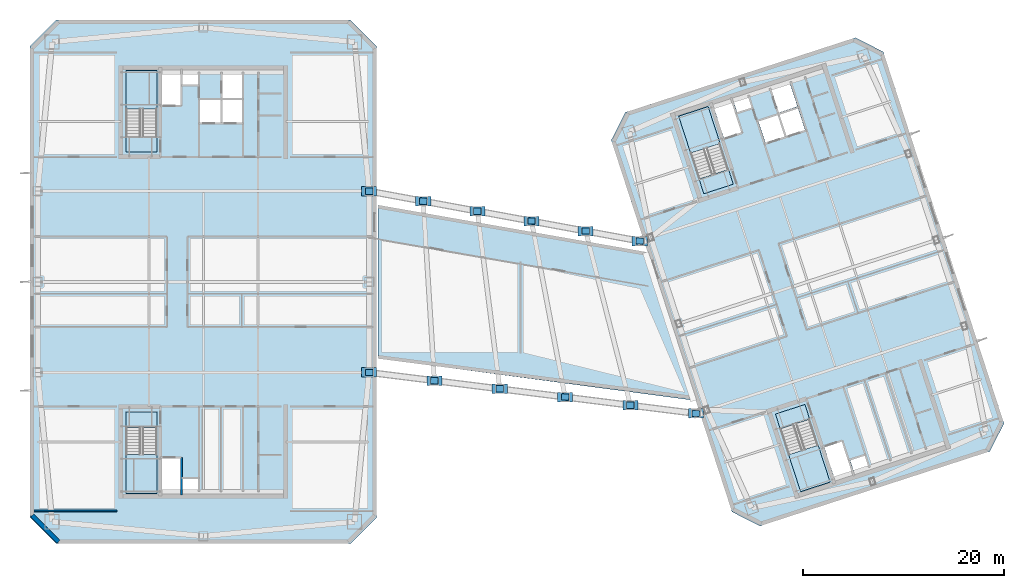
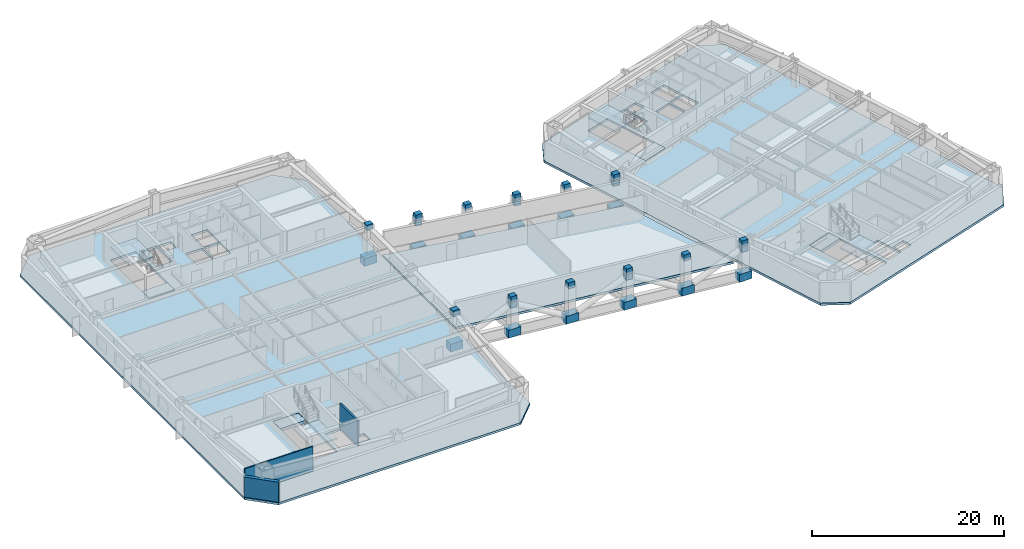
# One storey, part 5 of 19: 30 plates, 11 slabs, 3 walls, 4 elements without a shape of their own.
"""IFC4 building model written with IfcOpenShell, lengths in metres."""

from ifc_helpers import new_model, si_unit, direction, frame, frame_2d, origin, origin_2d, place, context, subcontext, project, spatial, polyline, rectangle, outline, extrude, material, layer, layer_set, type_object, element, aggregate, save


model = new_model("IFC4")

# Units and contexts
model_context = context("Model", 3, precision=1e-05, world=origin(), true_north=direction((0.0, 1.0)))
body_context = subcontext(model_context, "Body", "Model", "MODEL_VIEW")
ifc_project = project(units=[si_unit("LENGTHUNIT", "METRE"), si_unit("AREAUNIT", "SQUARE_METRE"), si_unit("VOLUMEUNIT", "CUBIC_METRE"), si_unit("PLANEANGLEUNIT", "RADIAN"), si_unit("MASSUNIT", "GRAM", prefix="KILO")], contexts=[model_context])

# Site, building, storey
site_placement = place(None, origin())
site = spatial("IfcSite", under=ifc_project, at=site_placement, CompositionType="ELEMENT")
building_placement = place(site_placement, origin())
building = spatial("IfcBuilding", under=site, at=building_placement, Name="Qiaolan Cultural Towers", CompositionType="ELEMENT")
storey_placement = place(building_placement, frame((0.0, 0.0, 216.199951171875)))
storey = spatial("IfcBuildingStorey", under=building, at=storey_placement, Name="L58", CompositionType="ELEMENT", Elevation=216.199951171875)

# Plates
ifc_material_1 = material(Name="Steel Q355B", Category="steel")
ifc_layer_1 = layer(ifc_material_1, 0.035888671875)
ifc_layer_set_1 = layer_set([ifc_layer_1], Name="Steel Q355B")
plate_type_1 = type_object("IfcPlateType", Name="PL-CONN-36", PredefinedType="USERDEFINED", material=ifc_layer_set_1)
for number, where, z_axis, x_axis, name in (
    (1, (52.939208984375, 24.185791015625, 2.10009765625), (0.0, 0.0, 1.0), (-0.992219651941, 0.124499647796, 0.0), "L58 Brace End Connection Gusset Plate GP-02-0824"),
    (2, (65.91748046875, 22.557373046875, 2.10009765625), (0.0, 0.0, 1.0), (-0.992219651941, 0.124499647796, 0.0), "L58 Brace End Connection Gusset Plate GP-02-0825"),
    (3, (78.895751953125, 20.928955078125, 2.10009765625), (0.0, 0.0, 1.0), (-0.992219651941, 0.124499647796, 0.0), "L58 Brace End Connection Gusset Plate GP-02-0826"),
    (4, (46.449951171875, 25.0, 2.80029296875), (0.0, 0.0, 1.0), (1.0, 0.0, 0.0), "L58 Brace End Connection Gusset Plate GP-02-0827"),
    (5, (52.939208984375, 24.185791015625, 2.80029296875), (0.0, 0.0, 1.0), (1.0, 0.0, 0.0), "L58 Brace End Connection Gusset Plate GP-02-0828"),
    (6, (59.42822265625, 23.37158203125, 2.80029296875), (0.0, 0.0, 1.0), (1.0, 0.0, 0.0), "L58 Brace End Connection Gusset Plate GP-02-0829"),
    (7, (65.91748046875, 22.557373046875, 2.80029296875), (0.0, 0.0, 1.0), (1.0, 0.0, 0.0), "L58 Brace End Connection Gusset Plate GP-02-0830"),
    (8, (72.406494140625, 21.7431640625, 2.80029296875), (0.0, 0.0, 1.0), (1.0, 0.0, 0.0), "L58 Brace End Connection Gusset Plate GP-02-0831"),
    (9, (78.895751953125, 20.928955078125, 2.80029296875), (0.0, 0.0, 1.0), (1.0, 0.0, 0.0), "L58 Brace End Connection Gusset Plate GP-02-0832"),
    (10, (51.82666015625, 42.009521484375, 2.10009765625), (0.0, 0.0, 1.0), (-0.983453648169, 0.181159934598, 0.0), "L58 Brace End Connection Gusset Plate GP-02-0833"),
    (11, (62.580078125, 40.02880859375, 2.10009765625), (0.0, 0.0, 1.0), (-0.983453648169, 0.181159934598, 0.0), "L58 Brace End Connection Gusset Plate GP-02-0834"),
    (12, (73.33349609375, 38.0478515625, 2.10009765625), (0.0, 0.0, 1.0), (-0.983453648169, 0.181159934598, 0.0), "L58 Brace End Connection Gusset Plate GP-02-0835"),
    (13, (46.449951171875, 43.0, 2.80029296875), (0.0, 0.0, 1.0), (1.0, 0.0, 0.0), "L58 Brace End Connection Gusset Plate GP-02-0836"),
    (14, (51.82666015625, 42.009521484375, 2.80029296875), (0.0, 0.0, 1.0), (1.0, 0.0, 0.0), "L58 Brace End Connection Gusset Plate GP-02-0837"),
    (15, (57.203369140625, 41.01904296875, 2.80029296875), (0.0, 0.0, 1.0), (1.0, 0.0, 0.0), "L58 Brace End Connection Gusset Plate GP-02-0838"),
    (16, (62.580078125, 40.02880859375, 2.80029296875), (0.0, 0.0, 1.0), (1.0, 0.0, 0.0), "L58 Brace End Connection Gusset Plate GP-02-0839"),
    (17, (67.956787109375, 39.038330078125, 2.80029296875), (0.0, 0.0, 1.0), (1.0, 0.0, 0.0), "L58 Brace End Connection Gusset Plate GP-02-0840"),
    (18, (73.33349609375, 38.0478515625, 2.80029296875), (0.0, 0.0, 1.0), (1.0, 0.0, 0.0), "L58 Brace End Connection Gusset Plate GP-02-0841"),
):
    element("IfcPlate", number, at=place(storey_placement, frame(where, z_axis=z_axis, x_axis=x_axis)), inside=storey, type_object=plate_type_1, Name=name, ObjectType="GUSSET_PLATE", PredefinedType="USERDEFINED", context=body_context, shape_type="SweptSolid", body=[
        extrude(rectangle(XDim=0.739990234375, YDim=0.6201171875, at=origin_2d()), origin(), (0.0, 0.0, 1.0), 0.739990234375),
    ])
ifc_material_2 = material(Name="Steel Q390GJB", Category="steel")
ifc_layer_2 = layer(ifc_material_2, 0.0419921875)
ifc_layer_set_2 = layer_set([ifc_layer_2], Name="Steel Q390GJB")
plate_type_2 = type_object("IfcPlateType", Name="PL-NODE-ND01", PredefinedType="USERDEFINED", material=ifc_layer_set_2)
for number, where, z_axis, x_axis, name in (
    (19, (46.449951171875, 25.0, -1.47998046875), (0.0, 0.0, 1.0), (1.0, 0.0, 0.0), "Sky Park Truss Node Gusset Plate ND-01"),
    (20, (46.449951171875, 43.0, -1.47998046875), (0.0, 0.0, 1.0), (1.0, 0.0, 0.0), "Sky Park Truss Node Gusset Plate ND-01"),
):
    element("IfcPlate", number, at=place(storey_placement, frame(where, z_axis=z_axis, x_axis=x_axis)), inside=storey, type_object=plate_type_2, Name=name, ObjectType="GUSSET_PLATE", PredefinedType="USERDEFINED", context=body_context, shape_type="SweptSolid", body=[
        extrude(rectangle(XDim=1.5, YDim=0.949951171875, at=origin_2d()), origin(), (0.0, 0.0, 1.0), 1.0),
    ])
ifc_material_3 = material(Name="Steel Q390GJB", Category="steel")
ifc_layer_3 = layer(ifc_material_3, 0.0439453125)
ifc_layer_set_3 = layer_set([ifc_layer_3], Name="Steel Q390GJB")
plate_type_3 = type_object("IfcPlateType", Name="PL-NODE-ND02", PredefinedType="USERDEFINED", material=ifc_layer_set_3)
for number, where, z_axis, x_axis, name in (
    (21, (52.939208984375, 24.185791015625, -1.47998046875), (0.0, 0.0, 1.0), (1.0, 0.0, 0.0), "Sky Park Truss Node Gusset Plate ND-02"),
    (22, (51.82666015625, 42.009521484375, -1.47998046875), (0.0, 0.0, 1.0), (1.0, 0.0, 0.0), "Sky Park Truss Node Gusset Plate ND-02"),
):
    element("IfcPlate", number, at=place(storey_placement, frame(where, z_axis=z_axis, x_axis=x_axis)), inside=storey, type_object=plate_type_3, Name=name, ObjectType="GUSSET_PLATE", PredefinedType="USERDEFINED", context=body_context, shape_type="SweptSolid", body=[
        extrude(rectangle(XDim=1.5, YDim=0.949951171875, at=origin_2d()), origin(), (0.0, 0.0, 1.0), 1.0),
    ])
ifc_material_4 = material(Name="Steel Q390GJB", Category="steel")
ifc_layer_4 = layer(ifc_material_4, 0.0458984375)
ifc_layer_set_4 = layer_set([ifc_layer_4], Name="Steel Q390GJB")
plate_type_4 = type_object("IfcPlateType", Name="PL-NODE-ND03", PredefinedType="USERDEFINED", material=ifc_layer_set_4)
for number, where, z_axis, x_axis, name in (
    (23, (59.42822265625, 23.37158203125, -1.47998046875), (0.0, 0.0, 1.0), (1.0, 0.0, 0.0), "Sky Park Truss Node Gusset Plate ND-03"),
    (24, (57.203369140625, 41.01904296875, -1.47998046875), (0.0, 0.0, 1.0), (1.0, 0.0, 0.0), "Sky Park Truss Node Gusset Plate ND-03"),
):
    element("IfcPlate", number, at=place(storey_placement, frame(where, z_axis=z_axis, x_axis=x_axis)), inside=storey, type_object=plate_type_4, Name=name, ObjectType="GUSSET_PLATE", PredefinedType="USERDEFINED", context=body_context, shape_type="SweptSolid", body=[
        extrude(rectangle(XDim=1.5, YDim=0.949951171875, at=origin_2d()), origin(), (0.0, 0.0, 1.0), 1.0),
    ])
ifc_material_5 = material(Name="Steel Q390GJB", Category="steel")
ifc_layer_5 = layer(ifc_material_5, 0.0400390625)
ifc_layer_set_5 = layer_set([ifc_layer_5], Name="Steel Q390GJB")
plate_type_5 = type_object("IfcPlateType", Name="PL-NODE-ND04", PredefinedType="USERDEFINED", material=ifc_layer_set_5)
for number, where, z_axis, x_axis, name in (
    (25, (65.91748046875, 22.557373046875, -1.47998046875), (0.0, 0.0, 1.0), (1.0, 0.0, 0.0), "Sky Park Truss Node Gusset Plate ND-04"),
    (26, (62.580078125, 40.02880859375, -1.47998046875), (0.0, 0.0, 1.0), (1.0, 0.0, 0.0), "Sky Park Truss Node Gusset Plate ND-04"),
):
    element("IfcPlate", number, at=place(storey_placement, frame(where, z_axis=z_axis, x_axis=x_axis)), inside=storey, type_object=plate_type_5, Name=name, ObjectType="GUSSET_PLATE", PredefinedType="USERDEFINED", context=body_context, shape_type="SweptSolid", body=[
        extrude(rectangle(XDim=1.5, YDim=0.949951171875, at=origin_2d()), origin(), (0.0, 0.0, 1.0), 1.0),
    ])
ifc_material_6 = material(Name="Steel Q390GJB", Category="steel")
ifc_layer_6 = layer(ifc_material_6, 0.0419921875)
ifc_layer_set_6 = layer_set([ifc_layer_6], Name="Steel Q390GJB")
plate_type_6 = type_object("IfcPlateType", Name="PL-NODE-ND05", PredefinedType="USERDEFINED", material=ifc_layer_set_6)
for number, where, z_axis, x_axis, name in (
    (27, (72.406494140625, 21.7431640625, -1.47998046875), (0.0, 0.0, 1.0), (1.0, 0.0, 0.0), "Sky Park Truss Node Gusset Plate ND-05"),
    (28, (67.956787109375, 39.038330078125, -1.47998046875), (0.0, 0.0, 1.0), (1.0, 0.0, 0.0), "Sky Park Truss Node Gusset Plate ND-05"),
):
    element("IfcPlate", number, at=place(storey_placement, frame(where, z_axis=z_axis, x_axis=x_axis)), inside=storey, type_object=plate_type_6, Name=name, ObjectType="GUSSET_PLATE", PredefinedType="USERDEFINED", context=body_context, shape_type="SweptSolid", body=[
        extrude(rectangle(XDim=1.5, YDim=0.949951171875, at=origin_2d()), origin(), (0.0, 0.0, 1.0), 1.0),
    ])
ifc_material_7 = material(Name="Steel Q390GJB", Category="steel")
ifc_layer_7 = layer(ifc_material_7, 0.0439453125)
ifc_layer_set_7 = layer_set([ifc_layer_7], Name="Steel Q390GJB")
plate_type_7 = type_object("IfcPlateType", Name="PL-NODE-ND06", PredefinedType="USERDEFINED", material=ifc_layer_set_7)
for number, where, z_axis, x_axis, name in (
    (29, (78.895751953125, 20.928955078125, -1.47998046875), (0.0, 0.0, 1.0), (1.0, 0.0, 0.0), "Sky Park Truss Node Gusset Plate ND-06"),
    (30, (73.33349609375, 38.0478515625, -1.47998046875), (0.0, 0.0, 1.0), (1.0, 0.0, 0.0), "Sky Park Truss Node Gusset Plate ND-06"),
):
    element("IfcPlate", number, at=place(storey_placement, frame(where, z_axis=z_axis, x_axis=x_axis)), inside=storey, type_object=plate_type_7, Name=name, ObjectType="GUSSET_PLATE", PredefinedType="USERDEFINED", context=body_context, shape_type="SweptSolid", body=[
        extrude(rectangle(XDim=1.5, YDim=0.949951171875, at=origin_2d()), origin(), (0.0, 0.0, 1.0), 1.0),
    ])

# Slabs
ifc_material_8 = material(Name="Concrete C50", Category="concrete")
ifc_layer_8 = layer(ifc_material_8, 0.280029296875)
ifc_layer_set_8 = layer_set([ifc_layer_8], Name="Concrete C50")
slab_type_1 = type_object("IfcSlabType", Name="SL-BRG-280", PredefinedType="FLOOR", material=ifc_layer_set_8)
slab_1_placement = place(storey_placement, frame((0.0, 0.0, -0.280029296875)))
element("IfcSlab", 31, at=slab_1_placement, inside=storey, type_object=slab_type_1, Name="L58 Sky Park Enclosed Cultural Bridge Deck Slab", PredefinedType="FLOOR", context=body_context, shape_type="SweptSolid", body=[
    extrude(outline(polyline([(47.35009765625, 26.39990234375), (78.463134765625, 22.26025390625), (73.76611328125, 36.71630859375), (47.35009765625, 41.60009765625), (47.35009765625, 26.39990234375)])), origin(), (0.0, 0.0, 1.0), 0.280029296875),
])
ifc_material_9 = material(Name="Concrete C50", Category="concrete")
ifc_layer_9 = layer(ifc_material_9, 0.280029296875)
ifc_layer_set_9 = layer_set([ifc_layer_9], Name="Concrete C50")
slab_type_2 = type_object("IfcSlabType", Name="SL-REF-280", PredefinedType="FLOOR", material=ifc_layer_set_9)
slab_2_placement = place(storey_placement, frame((0.0, 0.0, -0.280029296875)))
element("IfcSlab", 32, at=slab_2_placement, inside=storey, type_object=slab_type_2, Name="L58 West Tower Floor Slab", PredefinedType="FLOOR", context=body_context, shape_type="SweptSolid", body=[
    extrude(outline(polyline([(15.39990234375, 8.0), (44.60009765625, 8.0), (47.199951171875, 10.60009765625), (47.199951171875, 57.39990234375), (44.60009765625, 60.0), (15.39990234375, 60.0), (12.800048828125, 57.39990234375), (12.800048828125, 10.60009765625), (15.39990234375, 8.0)]), holes=[polyline([(22.300048828125, 21.10009765625), (22.300048828125, 13.0), (25.3798828125, 13.0), (25.3798828125, 21.10009765625), (22.300048828125, 21.10009765625)]), polyline([(25.3798828125, 46.89990234375), (25.3798828125, 55.0), (22.300048828125, 55.0), (22.300048828125, 46.89990234375), (25.3798828125, 46.89990234375)]), polyline([(25.89990234375, 13.199951171875), (27.75, 13.199951171875), (27.75, 16.449951171875), (25.89990234375, 16.449951171875), (25.89990234375, 13.199951171875)]), polyline([(27.93994140625, 13.25), (29.449951171875, 13.25), (29.449951171875, 14.419921875), (27.93994140625, 14.419921875), (27.93994140625, 13.25)]), polyline([(25.89990234375, 51.550048828125), (27.75, 51.550048828125), (27.75, 54.800048828125), (25.89990234375, 54.800048828125), (25.89990234375, 51.550048828125)]), polyline([(27.93994140625, 53.580078125), (29.449951171875, 53.580078125), (29.449951171875, 54.75), (27.93994140625, 54.75), (27.93994140625, 53.580078125)]), polyline([(29.679931640625, 49.820068359375), (31.679931640625, 49.820068359375), (31.679931640625, 52.080078125), (29.679931640625, 52.080078125), (29.679931640625, 49.820068359375)]), polyline([(31.8798828125, 49.820068359375), (33.820068359375, 49.820068359375), (33.820068359375, 52.080078125), (31.8798828125, 52.080078125), (31.8798828125, 49.820068359375)]), polyline([(31.8798828125, 52.27001953125), (33.820068359375, 52.27001953125), (33.820068359375, 54.75), (31.8798828125, 54.75), (31.8798828125, 52.27001953125)])]), origin(), (0.0, 0.0, 1.0), 0.280029296875),
])
slab_3_placement = place(storey_placement, frame((0.0, 0.0, -0.280029296875)))
element("IfcSlab", 33, at=slab_3_placement, inside=storey, type_object=slab_type_2, Name="L58 East Tower Floor Slab", PredefinedType="FLOOR", context=body_context, shape_type="SweptSolid", body=[
    extrude(outline(polyline([(85.26220703125, 9.7490234375), (108.08740234375, 17.165283203125), (109.5, 19.9375), (97.510009765625, 56.838623046875), (94.73779296875, 58.2509765625), (71.91259765625, 50.834716796875), (70.5, 48.0625), (82.489990234375, 11.161376953125), (85.26220703125, 9.7490234375)]), holes=[polyline([(86.80126953125, 20.868896484375), (89.30419921875, 13.165283203125), (92.2333984375, 14.116943359375), (89.73046875, 21.820556640625), (86.80126953125, 20.868896484375)]), polyline([(82.623046875, 43.69482421875), (80.1201171875, 51.3984375), (77.190673828125, 50.44677734375), (79.69384765625, 42.7431640625), (82.623046875, 43.69482421875)]), polyline([(92.666259765625, 14.468017578125), (94.42578125, 15.03955078125), (93.42138671875, 18.130615234375), (91.661865234375, 17.558837890625), (92.666259765625, 14.468017578125)]), polyline([(94.5908203125, 15.14599609375), (96.027099609375, 15.612548828125), (95.66552734375, 16.725341796875), (94.2294921875, 16.258544921875), (94.5908203125, 15.14599609375)]), polyline([(81.6806640625, 48.278076171875), (83.440185546875, 48.849609375), (82.435791015625, 51.940673828125), (80.67626953125, 51.368896484375), (81.6806640625, 48.278076171875)]), polyline([(82.993408203125, 50.839111328125), (84.4296875, 51.3056640625), (84.068115234375, 52.41845703125), (82.632080078125, 51.95166015625), (82.993408203125, 50.839111328125)]), polyline([(85.810302734375, 47.80078125), (87.71240234375, 48.418701171875), (87.013916015625, 50.568115234375), (85.11181640625, 49.9501953125), (85.810302734375, 47.80078125)]), polyline([(87.902587890625, 48.480712890625), (89.74755859375, 49.080078125), (89.04931640625, 51.2294921875), (87.2041015625, 50.6298828125), (87.902587890625, 48.480712890625)]), polyline([(87.1455078125, 50.810791015625), (88.990478515625, 51.41015625), (88.22412109375, 53.768798828125), (86.379150390625, 53.169189453125), (87.1455078125, 50.810791015625)])]), origin(), (0.0, 0.0, 1.0), 0.280029296875),
])

# Stair, slab
ifc_material_10 = material(Name="Concrete C45", Category="concrete")
stair_type = type_object("IfcStairType", Name="STR-CORE-1500", PredefinedType="HALF_TURN_STAIR", material=ifc_material_10)
stair_1_placement = place(storey_placement, origin())
stair_1 = element("IfcStair", 34, at=stair_1_placement, inside=storey, type_object=stair_type, Name="L58 Smokeproof Exit Stair ST-W1", PredefinedType="HALF_TURN_STAIR")
ifc_material_11 = material(Name="Concrete C45", Category="concrete")
ifc_layer_10 = layer(ifc_material_11, 0.199951171875)
ifc_layer_set_10 = layer_set([ifc_layer_10], Name="Concrete C45")
slab_type_3 = type_object("IfcSlabType", Name="SL-STAIR-LAND", PredefinedType="LANDING", material=ifc_layer_set_10)
slab_4_placement = place(storey_placement, frame((0.0, 0.0, 1.525146484375)))
slab_4 = element("IfcSlab", 35, at=slab_4_placement, type_object=slab_type_3, Name="ST-W1 landing 1", PredefinedType="LANDING", context=body_context, shape_type="SweptSolid", body=[
    extrude(outline(polyline([(22.300048828125, 16.851318359375), (22.300048828125, 13.0), (25.3798828125, 13.0), (25.3798828125, 16.851318359375), (22.300048828125, 16.851318359375)])), origin(), (0.0, 0.0, 1.0), 0.199951171875),
])
aggregate(stair_1, [slab_4])

stair_2_placement = place(storey_placement, origin())
stair_2 = element("IfcStair", 36, at=stair_2_placement, inside=storey, type_object=stair_type, Name="L58 Smokeproof Exit Stair ST-W2", PredefinedType="HALF_TURN_STAIR")
slab_5_placement = place(storey_placement, frame((0.0, 0.0, 1.525146484375)))
slab_5 = element("IfcSlab", 37, at=slab_5_placement, type_object=slab_type_3, Name="ST-W2 landing 1", PredefinedType="LANDING", context=body_context, shape_type="SweptSolid", body=[
    extrude(outline(polyline([(25.3798828125, 51.148681640625), (25.3798828125, 55.0), (22.300048828125, 55.0), (22.300048828125, 51.148681640625), (25.3798828125, 51.148681640625)])), origin(), (0.0, 0.0, 1.0), 0.199951171875),
])
aggregate(stair_2, [slab_5])

stair_3_placement = place(storey_placement, origin())
stair_3 = element("IfcStair", 38, at=stair_3_placement, inside=storey, type_object=stair_type, Name="L58 Smokeproof Exit Stair ST-E1", PredefinedType="HALF_TURN_STAIR")
slab_6_placement = place(storey_placement, frame((0.0, 0.0, 1.525146484375)))
slab_6 = element("IfcSlab", 39, at=slab_6_placement, type_object=slab_type_3, Name="ST-E1 landing 1", PredefinedType="LANDING", context=body_context, shape_type="SweptSolid", body=[
    extrude(outline(polyline([(88.114013671875, 16.828125), (89.30419921875, 13.165283203125), (92.2333984375, 14.116943359375), (91.04345703125, 17.77978515625), (88.114013671875, 16.828125)])), origin(), (0.0, 0.0, 1.0), 0.199951171875),
])
aggregate(stair_3, [slab_6])

stair_4_placement = place(storey_placement, origin())
stair_4 = element("IfcStair", 40, at=stair_4_placement, inside=storey, type_object=stair_type, Name="L58 Smokeproof Exit Stair ST-E2", PredefinedType="HALF_TURN_STAIR")
slab_7_placement = place(storey_placement, frame((0.0, 0.0, 1.525146484375)))
slab_7 = element("IfcSlab", 41, at=slab_7_placement, type_object=slab_type_3, Name="ST-E2 landing 1", PredefinedType="LANDING", context=body_context, shape_type="SweptSolid", body=[
    extrude(outline(polyline([(81.31005859375, 47.735595703125), (80.1201171875, 51.3984375), (77.190673828125, 50.44677734375), (78.380859375, 46.783935546875), (81.31005859375, 47.735595703125)])), origin(), (0.0, 0.0, 1.0), 0.199951171875),
])
aggregate(stair_4, [slab_7])

# Slabs
ifc_material_12 = material(Name="Concrete C40", Category="concrete")
ifc_layer_11 = layer(ifc_material_12, 0.360107421875)
ifc_layer_set_11 = layer_set([ifc_layer_11], Name="Concrete C40")
slab_type_4 = type_object("IfcSlabType", Name="SL-STFLR-360", PredefinedType="LANDING", material=ifc_layer_set_11)
slab_8_placement = place(storey_placement, frame((0.0, 0.0, -0.35986328125)))
element("IfcSlab", 42, at=slab_8_placement, inside=storey, type_object=slab_type_4, Name="L58 ST-W1 Stair Floor Landing Slab", PredefinedType="LANDING", context=body_context, shape_type="SweptSolid", body=[
    extrude(outline(polyline([(22.302001953125, 21.097900390625), (22.302001953125, 19.548583984375), (25.3779296875, 19.548583984375), (25.3779296875, 21.097900390625), (22.302001953125, 21.097900390625)])), origin(), (0.0, 0.0, 1.0), 0.35986328125),
])
slab_9_placement = place(storey_placement, frame((0.0, 0.0, -0.35986328125)))
element("IfcSlab", 43, at=slab_9_placement, inside=storey, type_object=slab_type_4, Name="L58 ST-W2 Stair Floor Landing Slab", PredefinedType="LANDING", context=body_context, shape_type="SweptSolid", body=[
    extrude(outline(polyline([(25.3779296875, 46.902099609375), (25.3779296875, 48.451416015625), (22.302001953125, 48.451416015625), (22.302001953125, 46.902099609375), (25.3779296875, 46.902099609375)])), origin(), (0.0, 0.0, 1.0), 0.35986328125),
])
slab_10_placement = place(storey_placement, frame((0.0, 0.0, -0.35986328125)))
element("IfcSlab", 44, at=slab_10_placement, inside=storey, type_object=slab_type_4, Name="L58 ST-E1 Stair Floor Landing Slab", PredefinedType="LANDING", context=body_context, shape_type="SweptSolid", body=[
    extrude(outline(polyline([(86.8037109375, 20.867431640625), (87.282470703125, 19.39404296875), (90.2080078125, 20.3447265625), (89.729248046875, 21.818115234375), (86.8037109375, 20.867431640625)])), origin(), (0.0, 0.0, 1.0), 0.35986328125),
])
slab_11_placement = place(storey_placement, frame((0.0, 0.0, -0.35986328125)))
element("IfcSlab", 45, at=slab_11_placement, inside=storey, type_object=slab_type_4, Name="L58 ST-E2 Stair Floor Landing Slab", PredefinedType="LANDING", context=body_context, shape_type="SweptSolid", body=[
    extrude(outline(polyline([(82.62060546875, 43.6962890625), (82.141845703125, 45.169677734375), (79.21630859375, 44.21923828125), (79.695068359375, 42.74560546875), (82.62060546875, 43.6962890625)])), origin(), (0.0, 0.0, 1.0), 0.35986328125),
])

# Walls
ifc_material_13 = material(Name="Precast Concrete C50 Honed Stone Pier", Category="masonry")
ifc_layer_12 = layer(ifc_material_13, 0.39990234375)
ifc_layer_set_12 = layer_set([ifc_layer_12], Name="Precast Concrete C50 Honed Stone Pier")
wall_type_1 = type_object("IfcWallType", Name="WL-EXT-PIER-400", PredefinedType="SOLIDWALL", material=ifc_layer_set_12)
wall_1_placement = place(storey_placement, frame((15.60009765625, 8.199951171875, 0.0), z_axis=(0.0, 0.0, 1.0), x_axis=(-0.707106781187, 0.707106781187, 0.0)))
element("IfcWall", 46, at=wall_1_placement, inside=storey, type_object=wall_type_1, Name="L58 West Tower Precast Pier Facade Wall F8", PredefinedType="SOLIDWALL", context=body_context, shape_type="SweptSolid", body=[
    extrude(rectangle(XDim=3.677001953125, YDim=0.39990234375, at=frame_2d((1.83837890625, 0.0))), origin(), (0.0, 0.0, 1.0), 2.550048828125),
])
ifc_material_14 = material(Name="Concrete C35 Fire Wall", Category="concrete")
ifc_layer_13 = layer(ifc_material_14, 0.199951171875)
ifc_layer_set_13 = layer_set([ifc_layer_13], Name="Concrete C35 Fire Wall")
wall_type_2 = type_object("IfcWallType", Name="WL-FIRE-200", PredefinedType="PARTITIONING", material=ifc_layer_set_13)
wall_2_placement = place(storey_placement, frame((27.820068359375, 16.550048828125, 0.0), z_axis=(0.0, 0.0, 1.0), x_axis=(0.0, -1.0, 0.0)))
element("IfcWall", 47, at=wall_2_placement, inside=storey, type_object=wall_type_2, Name="L58 T1-CS Firefighting Hoistway East Wall", PredefinedType="PARTITIONING", context=body_context, shape_type="SweptSolid", body=[
    extrude(rectangle(XDim=3.699951171875, YDim=0.199951171875, at=frame_2d((1.85009765625, 0.0))), origin(), (0.0, 0.0, 1.0), 3.155029296875),
])
ifc_material_15 = material(Name="Autoclaved Aerated Concrete Block B06", Category="concrete")
ifc_layer_14 = layer(ifc_material_15, 0.14990234375)
ifc_layer_set_14 = layer_set([ifc_layer_14], Name="Autoclaved Aerated Concrete Block B06")
wall_type_3 = type_object("IfcWallType", Name="WL-PART-150", PredefinedType="PARTITIONING", material=ifc_layer_set_14)
wall_3_placement = place(storey_placement, frame((13.199951171875, 11.25, 0.0), z_axis=(0.0, 0.0, 1.0), x_axis=(1.0, 0.0, 0.0)))
element("IfcWall", 48, at=wall_3_placement, inside=storey, type_object=wall_type_3, Name="L58 T1 Flank Wall FLK-SW", PredefinedType="PARTITIONING", context=body_context, shape_type="SweptSolid", body=[
    extrude(rectangle(XDim=8.199951171875, YDim=0.14990234375, at=frame_2d((4.10009765625, 0.0))), origin(), (0.0, 0.0, 1.0), 3.155029296875),
])

save(model, "model.ifc")
